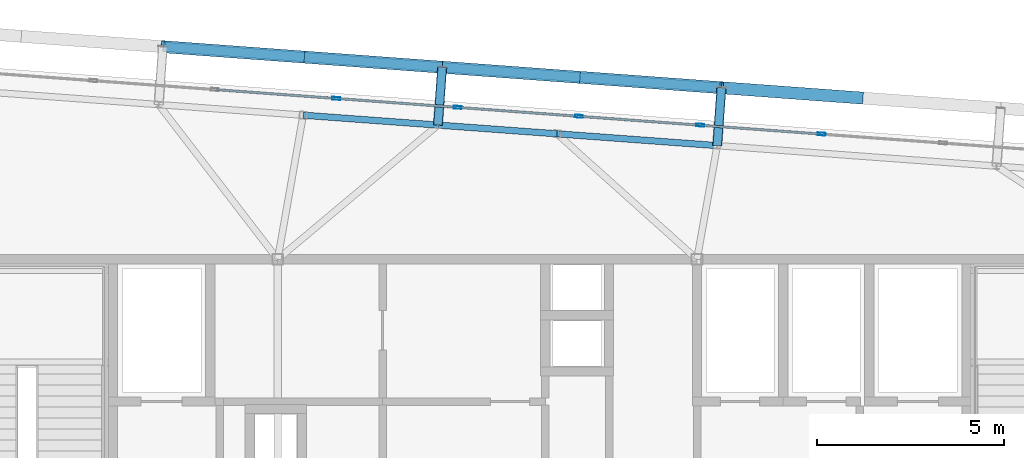
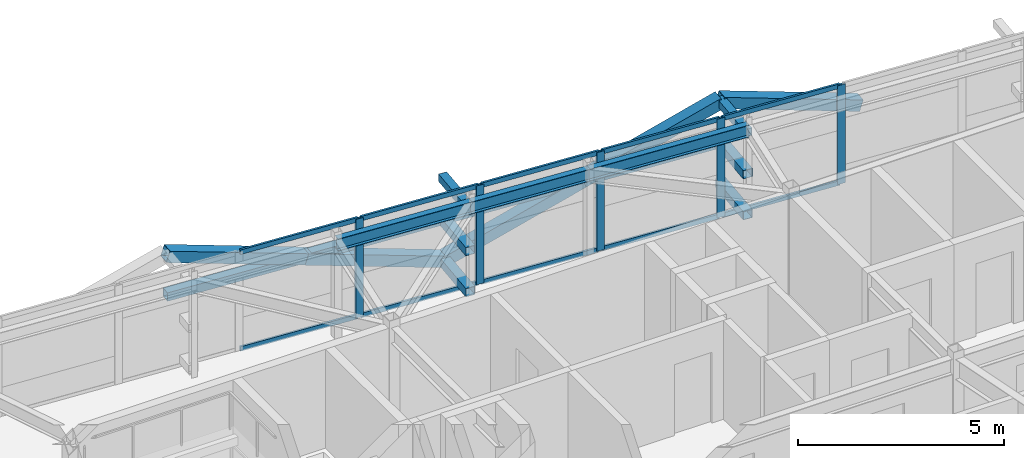
# One storey, part 27 of 42: 28 members, 3 beams, 1 element without a shape of its own.
"""IFC4 building model written with IfcOpenShell, lengths in metres."""

import ifcopenshell
import ifcopenshell.guid

model = None  # the IFC model being written
_history = None  # IfcOwnerHistory: only IFC2X3 demands one
_inside = {}  # id of a spatial element -> (the spatial element, [elements in it])
_under = {}  # id of a project, library or spatial element -> (it, [spatial elements below it])
_declared = {}  # id of a project -> (the project, [libraries it declares])
_typed = {}  # id of a type object -> (the type object, [elements of that type])
_made_of = {}  # id of a material, layer set ... -> (it, [elements and type objects made of it])


def new_model(schema):
    """Start an empty IFC model of exactly this schema.

    Asked for "IFC4X3", IfcOpenShell would pick the latest addendum, in which some entities
    have other attributes; the version numbers below select the first issue.
    IFC2X3 requires an IfcOwnerHistory on every rooted entity: one is made here for all.
    """
    global model, _history
    if schema == "IFC4X3":
        model = ifcopenshell.file(schema_version=(4, 3, 0, 0))
    else:
        model = ifcopenshell.file(schema=schema)
    _inside.clear()
    _under.clear()
    _declared.clear()
    _typed.clear()
    _made_of.clear()
    _history = None
    if model.schema == "IFC2X3":
        org = make("IfcOrganization", Name="unknown")
        user = make(
            "IfcPersonAndOrganization",
            ThePerson=make("IfcPerson", FamilyName="unknown"),
            TheOrganization=org,
        )
        app = make(
            "IfcApplication",
            ApplicationDeveloper=org,
            Version="unknown",
            ApplicationFullName="unknown",
            ApplicationIdentifier="unknown",
        )
        _history = make(
            "IfcOwnerHistory",
            OwningUser=user,
            OwningApplication=app,
            ChangeAction="ADDED",
            CreationDate=0,
        )
    return model


def make(cls, **values):
    """One entity of the class cls with the attributes given. An attribute that is None is left unset."""
    return model.create_entity(
        cls, **{name: value for name, value in values.items() if value is not None}
    )


def rooted(cls, **values):
    """An entity with a GlobalId (a new one), such as an element, a storey or a relation."""
    return make(cls, GlobalId=ifcopenshell.guid.new(), OwnerHistory=_history, **values)


def si_unit(unit_type, name, prefix=None):
    """IfcSIUnit, for example si_unit("LENGTHUNIT", "METRE", prefix="MILLI")."""
    return make("IfcSIUnit", UnitType=unit_type, Prefix=prefix, Name=name)


def assignment(units):
    """IfcUnitAssignment: the units of a project."""
    return None if units is None else make("IfcUnitAssignment", Units=units)


def point(xyz):
    """IfcCartesianPoint."""
    return None if xyz is None else make("IfcCartesianPoint", Coordinates=xyz)


def direction(xyz):
    """IfcDirection."""
    return None if xyz is None else make("IfcDirection", DirectionRatios=xyz)


def frame(location, z_axis=None, x_axis=None):
    """IfcAxis2Placement3D, a coordinate frame: its origin and axes. An axis left out is left unset."""
    return make(
        "IfcAxis2Placement3D",
        Location=point(location),
        Axis=direction(z_axis),
        RefDirection=direction(x_axis),
    )


def frame_2d(location, x_axis=None):
    """IfcAxis2Placement2D, a coordinate frame in the plane: its origin and x axis."""
    return make(
        "IfcAxis2Placement2D", Location=point(location), RefDirection=direction(x_axis)
    )


def origin():
    """The frame at (0, 0, 0) with its axes left unset."""
    return frame((0.0, 0.0, 0.0))


def origin_2d():
    """The frame at (0, 0) in the plane with its x axis left unset."""
    return frame_2d((0.0, 0.0))


def place(relative_to, where):
    """IfcLocalPlacement: puts the frame where relative to a parent placement (None: the world)."""
    return make(
        "IfcLocalPlacement", PlacementRelTo=relative_to, RelativePlacement=where
    )


def context(
    kind, dimensions, precision=None, world=None, true_north=None, identifier=None
):
    """IfcGeometricRepresentationContext, for example the 3D "Model" context."""
    return make(
        "IfcGeometricRepresentationContext",
        ContextIdentifier=identifier,
        ContextType=kind,
        CoordinateSpaceDimension=dimensions,
        Precision=precision,
        WorldCoordinateSystem=world,
        TrueNorth=true_north,
    )


def subcontext(parent, identifier, kind, view, scale=None):
    """IfcGeometricRepresentationSubContext, for example "Body" below "Model"."""
    return make(
        "IfcGeometricRepresentationSubContext",
        ContextIdentifier=identifier,
        ContextType=kind,
        ParentContext=parent,
        TargetScale=scale,
        TargetView=view,
    )


def project(units=None, contexts=None):
    """IfcProject with its units and contexts."""
    return rooted(
        "IfcProject",
        Name="project",
        RepresentationContexts=contexts,
        UnitsInContext=assignment(units),
    )


def spatial(cls, under=None, at=None, **own):
    """A site, building, storey or space (cls), placed at a placement, below another one or the project."""
    s = rooted(cls, ObjectPlacement=at, **own)
    if under is not None:
        _under.setdefault(under.id(), (under, []))[1].append(s)
    return s


def profile(cls, at=None, kind="AREA", **sizes):
    """A parametric profile (cls). Its sizes go by their IFC names, for example OverallWidth=200.0."""
    return make(cls, ProfileType=kind, Position=at, **sizes)


def hollow_rectangle(**sizes):
    """IfcRectangleHollowProfileDef."""
    return profile("IfcRectangleHollowProfileDef", **sizes)


def i_section(**sizes):
    """IfcIShapeProfileDef."""
    return profile("IfcIShapeProfileDef", **sizes)


def extrude(swept, where, along, depth):
    """IfcExtrudedAreaSolid: the profile swept, set in the frame where, extruded along a direction by depth."""
    return make(
        "IfcExtrudedAreaSolid",
        SweptArea=swept,
        Position=where,
        ExtrudedDirection=direction(along),
        Depth=depth,
    )


def shape(context_of_items, identifier, shape_type, items):
    """IfcShapeRepresentation: the items that make up one representation, for example the "Body"."""
    return make(
        "IfcShapeRepresentation",
        ContextOfItems=context_of_items,
        RepresentationIdentifier=identifier,
        RepresentationType=shape_type,
        Items=items,
    )


def source(mapping_origin, context_of_items, identifier, shape_type, items):
    """IfcRepresentationMap: a shape defined once, which mapped items show again and again."""
    return make(
        "IfcRepresentationMap",
        MappingOrigin=mapping_origin,
        MappedRepresentation=shape(context_of_items, identifier, shape_type, items),
    )


def transform(
    local_origin,
    x_axis=None,
    y_axis=None,
    z_axis=None,
    scale=None,
    scale2=None,
    scale3=None,
    uniform=True,
):
    """IfcCartesianTransformationOperator3D, or its non-uniform kind. x_axis, y_axis, z_axis: its Axis1, 2, 3."""
    if uniform:
        return make(
            "IfcCartesianTransformationOperator3D",
            Axis1=direction(x_axis),
            Axis2=direction(y_axis),
            LocalOrigin=point(local_origin),
            Scale=scale,
            Axis3=direction(z_axis),
        )
    return make(
        "IfcCartesianTransformationOperator3DnonUniform",
        Axis1=direction(x_axis),
        Axis2=direction(y_axis),
        LocalOrigin=point(local_origin),
        Scale=scale,
        Axis3=direction(z_axis),
        Scale2=scale2,
        Scale3=scale3,
    )


def mapped(mapping_source, mapping_target):
    """IfcMappedItem: shows the shape of a source again, moved by a transform."""
    return make(
        "IfcMappedItem", MappingSource=mapping_source, MappingTarget=mapping_target
    )


def material(Name=None, Category=None):
    """IfcMaterial."""
    return make("IfcMaterial", Name=Name, Category=Category)


def layer(
    of_material, thickness, ventilated=None, Name=None, Category=None, Priority=None
):
    """IfcMaterialLayer: one layer of a wall or slab, of a material (None: an air gap)."""
    return make(
        "IfcMaterialLayer",
        Material=of_material,
        LayerThickness=thickness,
        IsVentilated=ventilated,
        Name=Name,
        Category=Category,
        Priority=Priority,
    )


def layer_set(layers, Name=None):
    """IfcMaterialLayerSet."""
    return make("IfcMaterialLayerSet", MaterialLayers=layers, LayerSetName=Name)


def material_profile(
    of_material, cross_section, Name=None, Category=None, Priority=None
):
    """IfcMaterialProfile: a cross section and its material."""
    return make(
        "IfcMaterialProfile",
        Name=Name,
        Material=of_material,
        Profile=cross_section,
        Priority=Priority,
        Category=Category,
    )


def profile_set(profiles, Name=None, composite=None):
    """IfcMaterialProfileSet."""
    return make(
        "IfcMaterialProfileSet",
        Name=Name,
        MaterialProfiles=profiles,
        CompositeProfile=composite,
    )


def made_of(thing, what):
    """Note that an element or type object is made of a material, layer set ...; save() writes the relation."""
    if what is not None:
        _made_of.setdefault(what.id(), (what, []))[1].append(thing)
    return thing


def type_object(cls, material=None, **own):
    """A type object (cls), such as IfcWallType, which elements share."""
    return made_of(rooted(cls, **own), material)


def element(
    cls,
    number,
    at=None,
    inside=None,
    cuts=None,
    type_object=None,
    material=None,
    context=None,
    identifier="Body",
    shape_type=None,
    held_by="IfcProductDefinitionShape",
    body=None,
    shapes=None,
    **own,
):
    """One element of the class cls, such as IfcWall. Its Tag is "e" and its number.

    at: its placement. inside: the storey or other place that contains it. cuts: it is an
    opening in that element (IfcRelVoidsElement). A single representation is given by context,
    identifier, shape_type and body (its items); several are given by shapes. held_by: the class
    of the entity that holds the representations. save() writes the other relations.
    """
    e = rooted(cls, Tag="e%d" % number, ObjectPlacement=at, **own)
    if body is not None:
        shapes = [shape(context, identifier, shape_type, body)]
    if shapes is not None:
        e.Representation = make(held_by, Representations=shapes)
    if inside is not None:
        _inside.setdefault(inside.id(), (inside, []))[1].append(e)
    if cuts is not None:
        rooted(
            "IfcRelVoidsElement", RelatingBuildingElement=cuts, RelatedOpeningElement=e
        )
    if type_object is not None:
        _typed.setdefault(type_object.id(), (type_object, []))[1].append(e)
    return made_of(e, material)


def aggregate(whole, parts):
    """IfcRelAggregates: a whole, such as a stair, and the parts it consists of."""
    return rooted("IfcRelAggregates", RelatingObject=whole, RelatedObjects=parts)


def save(model, path):
    """Write the relations noted so far, then the file.

    IfcRelAggregates (storeys below a building ...), IfcRelContainedInSpatialStructure (elements
    in a storey), IfcRelDefinesByType, IfcRelAssociatesMaterial and IfcRelDeclares: one each for
    every whole, place, type object, material and project.
    """
    for whole, parts in _under.values():
        aggregate(whole, parts)
    for where, things in _inside.values():
        rooted(
            "IfcRelContainedInSpatialStructure",
            RelatedElements=things,
            RelatingStructure=where,
        )
    for kind, things in _typed.values():
        rooted("IfcRelDefinesByType", RelatedObjects=things, RelatingType=kind)
    for what, things in _made_of.values():
        rooted("IfcRelAssociatesMaterial", RelatedObjects=things, RelatingMaterial=what)
    for by, libraries in _declared.values():
        rooted("IfcRelDeclares", RelatingContext=by, RelatedDefinitions=libraries)
    model.write(path)


model = new_model("IFC4")

# Units and contexts
model_context = context("Model", 3, precision=1e-05, world=origin(), true_north=direction((0.0, 1.0)))
body_context = subcontext(model_context, "Body", "Model", "MODEL_VIEW")
ifc_project = project(units=[si_unit("LENGTHUNIT", "METRE"), si_unit("AREAUNIT", "SQUARE_METRE"), si_unit("VOLUMEUNIT", "CUBIC_METRE"), si_unit("PLANEANGLEUNIT", "RADIAN"), si_unit("MASSUNIT", "GRAM", prefix="KILO")], contexts=[model_context])

# Site, building, storey
site_placement = place(None, origin())
site = spatial("IfcSite", under=ifc_project, at=site_placement, CompositionType="ELEMENT")
building_placement = place(site_placement, origin())
building = spatial("IfcBuilding", under=site, at=building_placement, Name="Taldren Reach Tower", CompositionType="ELEMENT")
storey_placement = place(building_placement, frame((0.0, 0.0, 217.699951171875)))
storey = spatial("IfcBuildingStorey", under=building, at=storey_placement, Name="L66", CompositionType="ELEMENT", Elevation=217.699951171875)

# Members
ifc_material_1 = material(Name="Steel Gr 350 (C350L0)", Category="steel")
ifc_material_profile_1 = material_profile(ifc_material_1, hollow_rectangle(XDim=0.25, YDim=0.25, WallThickness=0.010009765625, at=origin_2d()), Name="250x250x10.0SHS")
ifc_profile_set_1 = profile_set([ifc_material_profile_1], Name="Steel Gr 350 (C350L0)")
member_type_1 = type_object("IfcMemberType", Name="MB-POST250", PredefinedType="POST", material=ifc_profile_set_1)
shared_shape_1 = source(origin(), body_context, "Body", "SweptSolid", [
    extrude(hollow_rectangle(XDim=0.25, YDim=0.25, WallThickness=0.010009765625, at=origin_2d()), origin(), (0.0, 0.0, 1.0), 1.550048828125),
])
for number, where, z_axis, x_axis, name in (
    (1, (32.279541015625, 35.583251953125, 0.219970703125), (0.07323929162, 0.997314396849, 0.0), (-0.997314396849, 0.07323929162, 0.0), "Exoskeleton base diaphragm tie strut B5-N3 L66"),
    (2, (39.739501953125, 35.035400390625, 0.219970703125), (0.07323929162, 0.997314396849, 0.0), (-0.997314396849, 0.07323929162, 0.0), "Exoskeleton base diaphragm tie strut B5-N4 L66"),
    (3, (32.279541015625, 35.583251953125, 1.43505859375), (0.07323929162, 0.997314396849, 0.0), (-0.997314396849, 0.07323929162, 0.0), "Exoskeleton mid-tier diaphragm tie B5-N3 L66"),
    (4, (39.739501953125, 35.035400390625, 1.43505859375), (0.07323929162, 0.997314396849, 0.0), (-0.997314396849, 0.07323929162, 0.0), "Exoskeleton mid-tier diaphragm tie B5-N4 L66"),
):
    element("IfcMember", number, at=place(storey_placement, frame(where, z_axis=z_axis, x_axis=x_axis)), inside=storey, type_object=member_type_1, Name=name, PredefinedType="POST", context=body_context, shape_type="MappedRepresentation", body=[
        mapped(shared_shape_1, transform((0.0, 0.0, 0.0), scale=1.0)),
    ])
ifc_material_2 = material(Name="Steel Gr 450 (C450L0)", Category="steel")
ifc_material_profile_2 = material_profile(ifc_material_2, hollow_rectangle(XDim=0.219970703125, YDim=0.219970703125, WallThickness=0.00830078125, at=origin_2d()), Name="220x220x8.2SHS")
ifc_profile_set_2 = profile_set([ifc_material_profile_2], Name="Steel Gr 450 (C450L0)")
member_type_2 = type_object("IfcMemberType", Name="MB-TIE219", PredefinedType="STRUT", material=ifc_profile_set_2)
shared_shape_2 = source(origin(), body_context, "Body", "SweptSolid", [
    extrude(hollow_rectangle(XDim=0.219970703125, YDim=0.219970703125, WallThickness=0.00830078125, at=origin_2d()), origin(), (0.0, 0.0, 1.0), 1.550048828125),
])
for number, where, z_axis, x_axis, name in (
    (5, (32.279541015625, 35.583251953125, 2.650146484375), (0.07323929162, 0.997314396849, 0.0), (-0.997314396849, 0.07323929162, 0.0), "Exoskeleton diaphragm tie strut B5-N3 L66"),
    (6, (39.739501953125, 35.035400390625, 2.650146484375), (0.07323929162, 0.997314396849, 0.0), (-0.997314396849, 0.07323929162, 0.0), "Exoskeleton diaphragm tie strut B5-N4 L66"),
):
    element("IfcMember", number, at=place(storey_placement, frame(where, z_axis=z_axis, x_axis=x_axis)), inside=storey, type_object=member_type_2, Name=name, PredefinedType="STRUT", context=body_context, shape_type="MappedRepresentation", body=[
        mapped(shared_shape_2, transform((0.0, 0.0, 0.0), scale=1.0)),
    ])

# Beams
ifc_material_3 = material(Name="Steel Gr 350 (350PLUS)", Category="steel")
ifc_material_profile_3 = material_profile(ifc_material_3, i_section(OverallWidth=0.172119140625, OverallDepth=0.35888671875, WebThickness=0.008056640625, FlangeThickness=0.012939453125, at=origin_2d()), Name="360UB56.7")
ifc_profile_set_3 = profile_set([ifc_material_profile_3], Name="Steel Gr 350 (350PLUS)")
beam_type = type_object("IfcBeamType", Name="SP-UB360", PredefinedType="SPANDREL", material=ifc_profile_set_3)
shared_shape_3 = source(origin(), body_context, "Body", "SweptSolid", [
    extrude(i_section(OverallWidth=0.172119140625, OverallDepth=0.35888671875, WebThickness=0.008056640625, FlangeThickness=0.012939453125, at=origin_2d()), origin(), (0.0, 0.0, 1.0), 4.2900390625),
])
beam_1_placement = place(storey_placement, frame((39.739501953125, 35.035400390625, 2.75048828125), z_axis=(-0.997314292471, 0.073240712948, 0.0), x_axis=(-0.073240712948, -0.997314292471, 0.0)))
element("IfcBeam", 7, at=beam_1_placement, inside=storey, type_object=beam_type, Name="Perimeter spandrel B5 N4-PJN2 L66", PredefinedType="SPANDREL", context=body_context, shape_type="MappedRepresentation", body=[
    mapped(shared_shape_3, transform((0.0, 0.0, 0.0), scale=1.0)),
])
shared_shape_4 = source(origin(), body_context, "Body", "SweptSolid", [
    extrude(i_section(OverallWidth=0.172119140625, OverallDepth=0.35888671875, WebThickness=0.008056640625, FlangeThickness=0.012939453125, at=origin_2d()), origin(), (0.0, 0.0, 1.0), 3.18994140625),
])
beam_2_placement = place(storey_placement, frame((35.4609375, 35.349609375, 2.75048828125), z_axis=(-0.99731412404, 0.073243006424, 0.0), x_axis=(-0.073243006424, -0.99731412404, 0.0)))
element("IfcBeam", 8, at=beam_2_placement, inside=storey, type_object=beam_type, Name="Perimeter spandrel B5 PJN2-N3 L66", PredefinedType="SPANDREL", context=body_context, shape_type="MappedRepresentation", body=[
    mapped(shared_shape_4, transform((0.0, 0.0, 0.0), scale=1.0)),
])
shared_shape_5 = source(origin(), body_context, "Body", "SweptSolid", [
    extrude(i_section(OverallWidth=0.172119140625, OverallDepth=0.35888671875, WebThickness=0.008056640625, FlangeThickness=0.012939453125, at=origin_2d()), origin(), (0.0, 0.0, 1.0), 3.610107421875),
])
beam_3_placement = place(storey_placement, frame((32.279541015625, 35.583251953125, 2.75048828125), z_axis=(-0.997314240042, 0.073241426864, 0.0), x_axis=(-0.073241426864, -0.997314240042, 0.0)))
element("IfcBeam", 9, at=beam_3_placement, inside=storey, type_object=beam_type, Name="Perimeter spandrel B5 N3-PJN1 L66", PredefinedType="SPANDREL", context=body_context, shape_type="MappedRepresentation", body=[
    mapped(shared_shape_5, transform((0.0, 0.0, 0.0), scale=1.0)),
])

# Members
ifc_material_profile_4 = material_profile(ifc_material_2, hollow_rectangle(XDim=0.324951171875, YDim=0.324951171875, WallThickness=0.0126953125, at=origin_2d()), Name="325x325x12.7SHS")
ifc_profile_set_4 = profile_set([ifc_material_profile_4], Name="Steel Gr 450 (C450L0)")
member_type_3 = type_object("IfcMemberType", Name="MB-BR324", PredefinedType="BRACE", material=ifc_profile_set_4)
shared_shape_6 = source(origin(), body_context, "Body", "SweptSolid", [
    extrude(hollow_rectangle(XDim=0.324951171875, YDim=0.324951171875, WallThickness=0.0126953125, at=origin_2d()), origin(), (0.0, 0.0, 1.0), 3.932373046875),
])
for number, where, z_axis, x_axis, name in (
    (10, (32.39306640625, 37.129150390625, 0.219970703125), (-0.948511132845, 0.069657644394, 0.308989390507), (-0.07324169103, -0.997314220642, 0.0), "Exoskeleton Diagrid Brace B5-N2 L66"),
    (11, (28.6630859375, 37.403076171875, 1.43505859375), (-0.948511132845, 0.069657644394, 0.308989390507), (-0.07324169103, -0.997314220642, 0.0), "Exoskeleton Diagrid Brace B5-N2 L66"),
    (12, (32.39306640625, 37.129150390625, 0.219970703125), (0.948511132845, -0.069657644394, 0.308989390507), (0.07324169103, 0.997314220642, 0.0), "Exoskeleton Diagrid Brace B5-N3 L66"),
    (13, (36.123046875, 36.855224609375, 1.43505859375), (0.948511132845, -0.069657644394, 0.308989390507), (0.07324169103, 0.997314220642, 0.0), "Exoskeleton Diagrid Brace B5-N3 L66"),
    (14, (43.5830078125, 36.307373046875, 1.43505859375), (-0.948511132845, 0.069657644394, 0.308989390507), (-0.07324169103, -0.997314220642, 0.0), "Exoskeleton Diagrid Brace B5-N4 L66"),
):
    element("IfcMember", number, at=place(storey_placement, frame(where, z_axis=z_axis, x_axis=x_axis)), inside=storey, type_object=member_type_3, Name=name, PredefinedType="BRACE", context=body_context, shape_type="MappedRepresentation", body=[
        mapped(shared_shape_6, transform((0.0, 0.0, 0.0), scale=1.0)),
    ])
shared_shape_7 = source(origin(), body_context, "Body", "SweptSolid", [
    extrude(hollow_rectangle(XDim=0.25, YDim=0.25, WallThickness=0.010009765625, at=origin_2d()), origin(), (0.0, 0.0, 1.0), 7.47998046875),
])
for number, where, z_axis, x_axis, name in (
    (15, (24.93310546875, 37.677001953125, 1.43505859375), (0.997314220642, -0.07324169103, 0.0), (0.07324169103, 0.997314220642, 0.0), "Exoskeleton mid-height ring chord B5-N2 L66"),
    (16, (32.39306640625, 37.129150390625, 1.43505859375), (0.997314220642, -0.07324169103, 0.0), (0.07324169103, 0.997314220642, 0.0), "Exoskeleton mid-height ring chord B5-N3 L66"),
):
    element("IfcMember", number, at=place(storey_placement, frame(where, z_axis=z_axis, x_axis=x_axis)), inside=storey, type_object=member_type_1, Name=name, PredefinedType="POST", context=body_context, shape_type="MappedRepresentation", body=[
        mapped(shared_shape_7, transform((0.0, 0.0, 0.0), scale=1.0)),
    ])

# Curtain wall, members
ifc_material_4 = material(Name="Aluminium and Low-E Glass Unitised System", Category="aluminium")
ifc_layer = layer(ifc_material_4, 0.159912109375)
ifc_layer_set = layer_set([ifc_layer], Name="Aluminium and Low-E Glass Unitised System")
curtain_wall_type = type_object("IfcCurtainWallType", Name="CW-SYS-6", PredefinedType="NOTDEFINED", material=ifc_layer_set)
curtain_wall_placement = place(storey_placement, origin())
curtain_wall = element("IfcCurtainWall", 17, at=curtain_wall_placement, inside=storey, type_object=curtain_wall_type, Name="Unitised curtain wall CW-L66-N", PredefinedType="NOTDEFINED")
ifc_material_5 = material(Name="Anodised Aluminium 6063-T6", Category="aluminium")
ifc_material_profile_5 = material_profile(ifc_material_5, hollow_rectangle(XDim=0.074951171875, YDim=0.2099609375, WallThickness=0.00439453125, at=origin_2d()), Name="ALU-210x75x4.5RHS")
ifc_profile_set_5 = profile_set([ifc_material_profile_5], Name="Anodised Aluminium 6063-T6")
member_type_4 = type_object("IfcMemberType", Name="CW-MUL-200", PredefinedType="MULLION", material=ifc_profile_set_5)
shared_shape_8 = source(origin(), body_context, "Body", "SweptSolid", [
    extrude(hollow_rectangle(XDim=0.074951171875, YDim=0.2099609375, WallThickness=0.00439453125, at=origin_2d()), origin(), (0.0, 0.0, 1.0), 2.929931640625),
])
member_1_placement = place(storey_placement, frame((42.529541015625, 35.341796875, 0.0), z_axis=(0.0, 0.0, 1.0), x_axis=(-0.073238213716, -0.997314476006, 0.0)))
member_1 = element("IfcMember", 18, at=member_1_placement, type_object=member_type_4, Name="CW-6 mullion 5", PredefinedType="MULLION", context=body_context, shape_type="MappedRepresentation", body=[
    mapped(shared_shape_8, transform((0.0, 0.0, 0.0), scale=1.0)),
])
member_2_placement = place(storey_placement, frame((39.2880859375, 35.579833984375, 0.0), z_axis=(0.0, 0.0, 1.0), x_axis=(-0.073238213716, -0.997314476006, 0.0)))
member_2 = element("IfcMember", 19, at=member_2_placement, type_object=member_type_4, Name="CW-6 mullion 6", PredefinedType="MULLION", context=body_context, shape_type="MappedRepresentation", body=[
    mapped(shared_shape_8, transform((0.0, 0.0, 0.0), scale=1.0)),
])
member_3_placement = place(storey_placement, frame((36.046875, 35.81787109375, 0.0), z_axis=(0.0, 0.0, 1.0), x_axis=(-0.073238213716, -0.997314476006, 0.0)))
member_3 = element("IfcMember", 20, at=member_3_placement, type_object=member_type_4, Name="CW-6 mullion 7", PredefinedType="MULLION", context=body_context, shape_type="MappedRepresentation", body=[
    mapped(shared_shape_8, transform((0.0, 0.0, 0.0), scale=1.0)),
])
member_4_placement = place(storey_placement, frame((32.8056640625, 36.055908203125, 0.0), z_axis=(0.0, 0.0, 1.0), x_axis=(-0.073238213716, -0.997314476006, 0.0)))
member_4 = element("IfcMember", 21, at=member_4_placement, type_object=member_type_4, Name="CW-6 mullion 8", PredefinedType="MULLION", context=body_context, shape_type="MappedRepresentation", body=[
    mapped(shared_shape_8, transform((0.0, 0.0, 0.0), scale=1.0)),
])
member_5_placement = place(storey_placement, frame((29.564453125, 36.2939453125, 0.0), z_axis=(0.0, 0.0, 1.0), x_axis=(-0.073238213716, -0.997314476006, 0.0)))
member_5 = element("IfcMember", 22, at=member_5_placement, type_object=member_type_4, Name="CW-6 mullion 9", PredefinedType="MULLION", context=body_context, shape_type="MappedRepresentation", body=[
    mapped(shared_shape_8, transform((0.0, 0.0, 0.0), scale=1.0)),
])
ifc_material_profile_6 = material_profile(ifc_material_5, hollow_rectangle(XDim=0.06005859375, YDim=0.135009765625, WallThickness=0.00341796875, at=origin_2d()), Name="ALU-135x60x3.5RHS")
ifc_profile_set_6 = profile_set([ifc_material_profile_6], Name="Anodised Aluminium 6063-T6")
member_type_5 = type_object("IfcMemberType", Name="CW-TRN-150", PredefinedType="USERDEFINED", material=ifc_profile_set_6)
shared_shape_9 = source(origin(), body_context, "Body", "SweptSolid", [
    extrude(hollow_rectangle(XDim=0.06005859375, YDim=0.135009765625, WallThickness=0.00341796875, at=origin_2d()), origin(), (0.0, 0.0, 1.0), 3.1748046875),
])
member_6_placement = place(storey_placement, frame((42.491943359375, 35.3447265625, 0.030029296875), z_axis=(-0.997316632709, 0.073208839104, 0.0), x_axis=(-0.073208839104, -0.997316632709, 0.0)))
member_6 = element("IfcMember", 23, at=member_6_placement, type_object=member_type_5, Name="CW-6 transom 5.1", ObjectType="TRANSOM", PredefinedType="USERDEFINED", context=body_context, shape_type="MappedRepresentation", body=[
    mapped(shared_shape_9, transform((0.0, 0.0, 0.0), scale=1.0)),
])
member_7_placement = place(storey_placement, frame((42.491943359375, 35.3447265625, 2.900146484375), z_axis=(-0.997316632709, 0.073208839104, 0.0), x_axis=(-0.073208839104, -0.997316632709, 0.0)))
member_7 = element("IfcMember", 24, at=member_7_placement, type_object=member_type_5, Name="CW-6 transom 5.2", ObjectType="TRANSOM", PredefinedType="USERDEFINED", context=body_context, shape_type="MappedRepresentation", body=[
    mapped(shared_shape_9, transform((0.0, 0.0, 0.0), scale=1.0)),
])
member_8_placement = place(storey_placement, frame((29.52685546875, 36.296630859375, 0.030029296875), z_axis=(-0.997311015151, 0.07328532635, 0.0), x_axis=(-0.07328532635, -0.997311015151, 0.0)))
member_8 = element("IfcMember", 25, at=member_8_placement, type_object=member_type_5, Name="CW-6 transom 9.1", ObjectType="TRANSOM", PredefinedType="USERDEFINED", context=body_context, shape_type="MappedRepresentation", body=[
    mapped(shared_shape_9, transform((0.0, 0.0, 0.0), scale=1.0)),
])
member_9_placement = place(storey_placement, frame((29.52685546875, 36.296630859375, 2.900146484375), z_axis=(-0.997311015151, 0.07328532635, 0.0), x_axis=(-0.07328532635, -0.997311015151, 0.0)))
member_9 = element("IfcMember", 26, at=member_9_placement, type_object=member_type_5, Name="CW-6 transom 9.2", ObjectType="TRANSOM", PredefinedType="USERDEFINED", context=body_context, shape_type="MappedRepresentation", body=[
    mapped(shared_shape_9, transform((0.0, 0.0, 0.0), scale=1.0)),
])
shared_shape_10 = source(origin(), body_context, "Body", "SweptSolid", [
    extrude(hollow_rectangle(XDim=0.06005859375, YDim=0.135009765625, WallThickness=0.00341796875, at=origin_2d()), origin(), (0.0, 0.0, 1.0), 3.175048828125),
])
member_10_placement = place(storey_placement, frame((39.250732421875, 35.582763671875, 0.030029296875), z_axis=(-0.99731704481, 0.073203224877, 0.0), x_axis=(-0.073203224877, -0.99731704481, 0.0)))
member_10 = element("IfcMember", 27, at=member_10_placement, type_object=member_type_5, Name="CW-6 transom 6.1", ObjectType="TRANSOM", PredefinedType="USERDEFINED", context=body_context, shape_type="MappedRepresentation", body=[
    mapped(shared_shape_10, transform((0.0, 0.0, 0.0), scale=1.0)),
])
member_11_placement = place(storey_placement, frame((39.250732421875, 35.582763671875, 2.900146484375), z_axis=(-0.99731704481, 0.073203224877, 0.0), x_axis=(-0.073203224877, -0.99731704481, 0.0)))
member_11 = element("IfcMember", 28, at=member_11_placement, type_object=member_type_5, Name="CW-6 transom 6.2", ObjectType="TRANSOM", PredefinedType="USERDEFINED", context=body_context, shape_type="MappedRepresentation", body=[
    mapped(shared_shape_10, transform((0.0, 0.0, 0.0), scale=1.0)),
])
member_12_placement = place(storey_placement, frame((36.009521484375, 35.82080078125, 0.030029296875), z_axis=(-0.99731704481, 0.073203224877, 0.0), x_axis=(-0.073203224877, -0.99731704481, 0.0)))
member_12 = element("IfcMember", 29, at=member_12_placement, type_object=member_type_5, Name="CW-6 transom 7.1", ObjectType="TRANSOM", PredefinedType="USERDEFINED", context=body_context, shape_type="MappedRepresentation", body=[
    mapped(shared_shape_10, transform((0.0, 0.0, 0.0), scale=1.0)),
])
member_13_placement = place(storey_placement, frame((36.009521484375, 35.82080078125, 2.900146484375), z_axis=(-0.99731704481, 0.073203224877, 0.0), x_axis=(-0.073203224877, -0.99731704481, 0.0)))
member_13 = element("IfcMember", 30, at=member_13_placement, type_object=member_type_5, Name="CW-6 transom 7.2", ObjectType="TRANSOM", PredefinedType="USERDEFINED", context=body_context, shape_type="MappedRepresentation", body=[
    mapped(shared_shape_10, transform((0.0, 0.0, 0.0), scale=1.0)),
])
member_14_placement = place(storey_placement, frame((32.768310546875, 36.05859375, 0.030029296875), z_axis=(-0.997311428111, 0.073279706322, 0.0), x_axis=(-0.073279706322, -0.997311428111, 0.0)))
member_14 = element("IfcMember", 31, at=member_14_placement, type_object=member_type_5, Name="CW-6 transom 8.1", ObjectType="TRANSOM", PredefinedType="USERDEFINED", context=body_context, shape_type="MappedRepresentation", body=[
    mapped(shared_shape_10, transform((0.0, 0.0, 0.0), scale=1.0)),
])
member_15_placement = place(storey_placement, frame((32.768310546875, 36.05859375, 2.900146484375), z_axis=(-0.997311428111, 0.073279706322, 0.0), x_axis=(-0.073279706322, -0.997311428111, 0.0)))
member_15 = element("IfcMember", 32, at=member_15_placement, type_object=member_type_5, Name="CW-6 transom 8.2", ObjectType="TRANSOM", PredefinedType="USERDEFINED", context=body_context, shape_type="MappedRepresentation", body=[
    mapped(shared_shape_10, transform((0.0, 0.0, 0.0), scale=1.0)),
])
aggregate(curtain_wall, [member_1, member_2, member_3, member_4, member_5, member_6, member_7, member_10, member_11, member_12, member_13, member_14, member_15, member_8, member_9])

save(model, "model.ifc")
